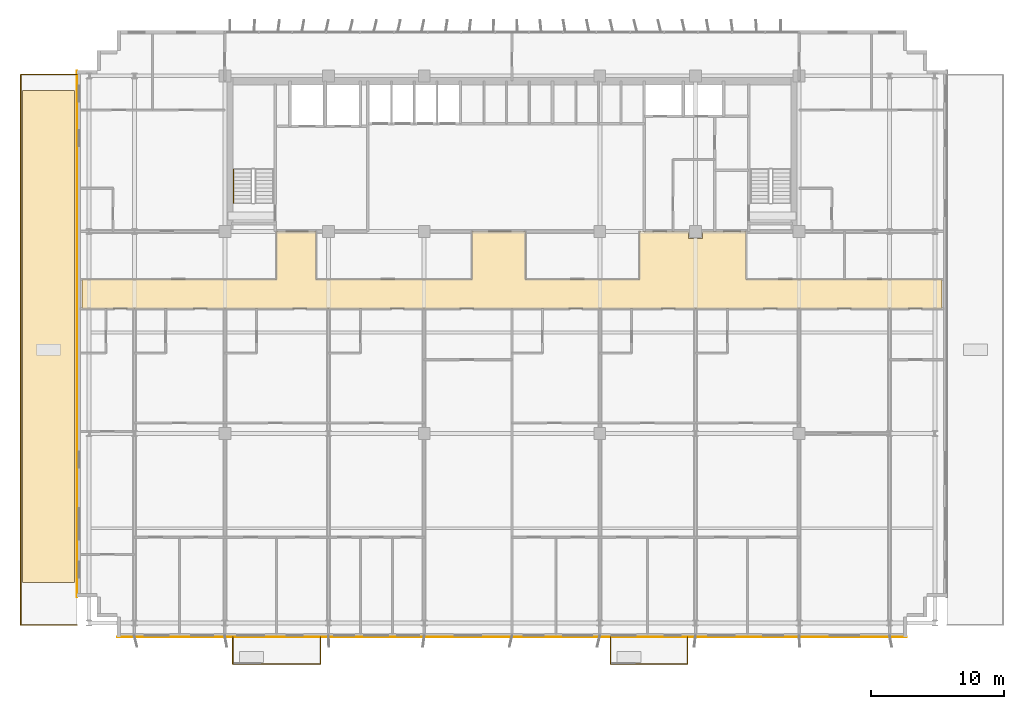
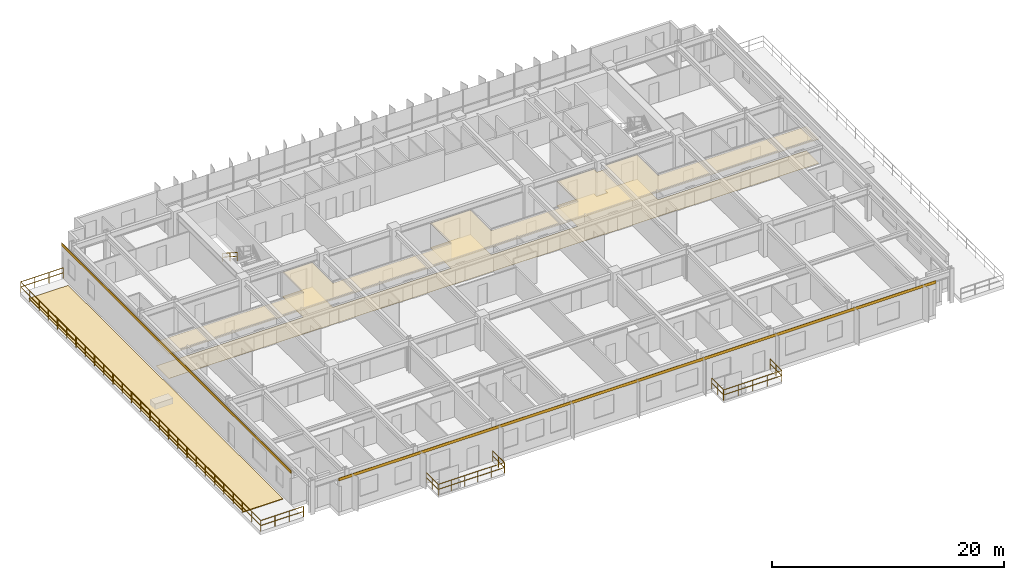
# One storey, part 24 of 26: 10 railings, 5 coverings.
"""IFC4 building model written with IfcOpenShell, lengths in metres."""

from ifc_helpers import new_model, si_unit, direction, frame, origin, origin_2d, place, context, subcontext, project, spatial, polyline, rectangle, outline, extrude, source, transform, mapped, material, layer, layer_set, type_object, element, save


model = new_model("IFC4")

# Units and contexts
model_context = context("Model", 3, precision=1e-05, world=origin(), true_north=direction((0.0, 1.0)))
body_context = subcontext(model_context, "Body", "Model", "MODEL_VIEW")
ifc_project = project(units=[si_unit("LENGTHUNIT", "METRE"), si_unit("AREAUNIT", "SQUARE_METRE"), si_unit("VOLUMEUNIT", "CUBIC_METRE"), si_unit("PLANEANGLEUNIT", "RADIAN"), si_unit("MASSUNIT", "GRAM", prefix="KILO")], contexts=[model_context])

# Site, building, storey
site_placement = place(None, origin())
site = spatial("IfcSite", under=ifc_project, at=site_placement, CompositionType="ELEMENT")
building_placement = place(site_placement, origin())
building = spatial("IfcBuilding", under=site, at=building_placement, Name="Trelvane Seafront Commons", CompositionType="ELEMENT")
storey_placement = place(building_placement, frame((0.0, 0.0, 23.5)))
storey = spatial("IfcBuildingStorey", under=building, at=storey_placement, Name="L05", CompositionType="ELEMENT", Elevation=23.5)

# Coverings
ifc_material_1 = material(Name="Acoustic Mineral Fibre Ceiling")
ifc_layer_1 = layer(ifc_material_1, 0.02490234375, Name="ARCH-COV-CEIL25")
ifc_layer_set_1 = layer_set([ifc_layer_1], Name="Acoustic Mineral Fibre Ceiling")
covering_type_1 = type_object("IfcCoveringType", Name="ARCH-COV-CEIL25", PredefinedType="CEILING", material=ifc_layer_set_1)
covering_1_placement = place(storey_placement, frame((0.0, 0.0, 2.550048828125)))
element("IfcCovering", 1, at=covering_1_placement, inside=storey, type_object=covering_type_1, Name="COV-CEIL-L05-05", PredefinedType="CEILING", context=body_context, shape_type="SweptSolid", body=[
    extrude(outline(polyline([(51.530029296875, 33.39990234375), (51.530029296875, 32.8701171875), (50.469970703125, 32.8701171875), (50.469970703125, 33.39990234375), (46.800048828125, 33.39990234375), (46.800048828125, 29.800048828125), (38.199951171875, 29.800048828125), (38.199951171875, 33.39990234375), (34.199951171875, 33.39990234375), (34.199951171875, 29.800048828125), (22.449951171875, 29.800048828125), (22.449951171875, 33.39990234375), (19.5, 33.39990234375), (19.5, 29.800048828125), (4.85009765625, 29.800048828125), (4.85009765625, 27.60009765625), (69.550048828125, 27.60009765625), (69.550048828125, 29.800048828125), (54.800048828125, 29.800048828125), (54.800048828125, 33.39990234375), (51.530029296875, 33.39990234375)])), origin(), (0.0, 0.0, 1.0), 0.02490234375),
])
ifc_material_2 = material(Name="Polished Terrazzo Finish")
ifc_layer_2 = layer(ifc_material_2, 0.02001953125, Name="ARCH-COV-FLOR20")
ifc_layer_set_2 = layer_set([ifc_layer_2], Name="Polished Terrazzo Finish")
covering_type_2 = type_object("IfcCoveringType", Name="ARCH-COV-FLOR20", PredefinedType="FLOORING", material=ifc_layer_set_2)
covering_2_placement = place(storey_placement, origin())
element("IfcCovering", 2, at=covering_2_placement, inside=storey, type_object=covering_type_2, Name="COV-FLOR-L05-05", PredefinedType="FLOORING", context=body_context, shape_type="SweptSolid", body=[
    extrude(outline(polyline([(51.530029296875, 33.39990234375), (51.530029296875, 32.8701171875), (50.469970703125, 32.8701171875), (50.469970703125, 33.39990234375), (46.800048828125, 33.39990234375), (46.800048828125, 29.800048828125), (38.199951171875, 29.800048828125), (38.199951171875, 33.39990234375), (34.199951171875, 33.39990234375), (34.199951171875, 29.800048828125), (22.449951171875, 29.800048828125), (22.449951171875, 33.39990234375), (19.5, 33.39990234375), (19.5, 29.800048828125), (4.85009765625, 29.800048828125), (4.85009765625, 27.60009765625), (69.550048828125, 27.60009765625), (69.550048828125, 29.800048828125), (54.800048828125, 29.800048828125), (54.800048828125, 33.39990234375), (51.530029296875, 33.39990234375)])), origin(), (0.0, 0.0, 1.0), 0.02001953125),
])
ifc_material_3 = material(Name="Polymer-Modified Bitumen Membrane")
ifc_layer_3 = layer(ifc_material_3, 0.080078125, Name="ARCH-COV-ROOF80")
ifc_layer_set_3 = layer_set([ifc_layer_3], Name="Polymer-Modified Bitumen Membrane")
covering_type_3 = type_object("IfcCoveringType", Name="ARCH-COV-ROOF80", PredefinedType="ROOFING", material=ifc_layer_set_3)
covering_3_placement = place(storey_placement, origin())
element("IfcCovering", 3, at=covering_3_placement, inside=storey, type_object=covering_type_3, Name="COV-ROOF-L05-04", PredefinedType="ROOFING", context=body_context, shape_type="SweptSolid", body=[
    extrude(outline(polyline([(0.39990234375, 7.0), (4.300048828125, 7.0), (4.300048828125, 44.0), (0.39990234375, 44.0), (0.39990234375, 7.0)])), origin(), (0.0, 0.0, 1.0), 0.080078125),
])

# Railings
ifc_material_4 = material(Name="Stainless steel balustrade", Category="steel")
railing_type_1 = type_object("IfcRailingType", Name="ARCH-RAIL-BAL1150", PredefinedType="BALUSTRADE", material=ifc_material_4)
railing_1_placement = place(storey_placement, frame((4.5, 3.800048828125, 0.0)))
element("IfcRailing", 4, at=railing_1_placement, inside=storey, type_object=railing_type_1, Name="RL-L05-TR0-01", PredefinedType="BALUSTRADE", context=body_context, shape_type="SweptSolid", body=[
    extrude(rectangle(XDim=0.048095703125, YDim=0.048095703125, at=origin_2d()), frame((0.0, 0.0, 1.1259765625), z_axis=(-1.0, 0.0, 0.0), x_axis=(0.0, -1.0, 0.0)), (0.0, 0.0, 1.0), 4.239990234375),
    extrude(rectangle(XDim=0.048095703125, YDim=0.048095703125, at=origin_2d()), frame((0.0, 0.0, 0.597900390625), z_axis=(-1.0, 0.0, 0.0), x_axis=(0.0, -1.0, 0.0)), (0.0, 0.0, 1.0), 4.239990234375),
    extrude(rectangle(XDim=0.0419921875, YDim=0.0419921875, at=origin_2d()), origin(), (0.0, 0.0, 1.0), 1.1259765625),
    extrude(rectangle(XDim=0.0419921875, YDim=0.0419921875, at=origin_2d()), frame((-1.413330078125, 0.0, 0.0)), (0.0, 0.0, 1.0), 1.1259765625),
    extrude(rectangle(XDim=0.0419921875, YDim=0.0419921875, at=origin_2d()), frame((-2.82666015625, 0.0, 0.0)), (0.0, 0.0, 1.0), 1.1259765625),
    extrude(rectangle(XDim=0.0419921875, YDim=0.0419921875, at=origin_2d()), frame((-4.239990234375, 0.0, 0.0)), (0.0, 0.0, 1.0), 1.1259765625),
])
railing_2_placement = place(storey_placement, frame((0.260009765625, 3.800048828125, 0.0)))
element("IfcRailing", 5, at=railing_2_placement, inside=storey, type_object=railing_type_1, Name="RL-L05-TR0-02", PredefinedType="BALUSTRADE", context=body_context, shape_type="SweptSolid", body=[
    extrude(rectangle(XDim=0.048095703125, YDim=0.048095703125, at=origin_2d()), frame((0.0, 0.0, 1.1259765625), z_axis=(0.0, 1.0, 0.0), x_axis=(-1.0, 0.0, 0.0)), (0.0, 0.0, 1.0), 41.39990234375),
    extrude(rectangle(XDim=0.048095703125, YDim=0.048095703125, at=origin_2d()), frame((0.0, 0.0, 0.597900390625), z_axis=(0.0, 1.0, 0.0), x_axis=(-1.0, 0.0, 0.0)), (0.0, 0.0, 1.0), 41.39990234375),
    extrude(rectangle(XDim=0.0419921875, YDim=0.0419921875, at=origin_2d()), origin(), (0.0, 0.0, 1.0), 1.1259765625),
    extrude(rectangle(XDim=0.0419921875, YDim=0.0419921875, at=origin_2d()), frame((0.0, 1.59228515625, 0.0)), (0.0, 0.0, 1.0), 1.1259765625),
    extrude(rectangle(XDim=0.0419921875, YDim=0.0419921875, at=origin_2d()), frame((0.0, 3.1845703125, 0.0)), (0.0, 0.0, 1.0), 1.1259765625),
    extrude(rectangle(XDim=0.0419921875, YDim=0.0419921875, at=origin_2d()), frame((0.0, 4.77685546875, 0.0)), (0.0, 0.0, 1.0), 1.1259765625),
    extrude(rectangle(XDim=0.0419921875, YDim=0.0419921875, at=origin_2d()), frame((0.0, 6.369140625, 0.0)), (0.0, 0.0, 1.0), 1.1259765625),
    extrude(rectangle(XDim=0.0419921875, YDim=0.0419921875, at=origin_2d()), frame((0.0, 7.96142578125, 0.0)), (0.0, 0.0, 1.0), 1.1259765625),
    extrude(rectangle(XDim=0.0419921875, YDim=0.0419921875, at=origin_2d()), frame((0.0, 9.5537109375, 0.0)), (0.0, 0.0, 1.0), 1.1259765625),
    extrude(rectangle(XDim=0.0419921875, YDim=0.0419921875, at=origin_2d()), frame((0.0, 11.146240234375, 0.0)), (0.0, 0.0, 1.0), 1.1259765625),
    extrude(rectangle(XDim=0.0419921875, YDim=0.0419921875, at=origin_2d()), frame((0.0, 12.738525390625, 0.0)), (0.0, 0.0, 1.0), 1.1259765625),
    extrude(rectangle(XDim=0.0419921875, YDim=0.0419921875, at=origin_2d()), frame((0.0, 14.330810546875, 0.0)), (0.0, 0.0, 1.0), 1.1259765625),
    extrude(rectangle(XDim=0.0419921875, YDim=0.0419921875, at=origin_2d()), frame((0.0, 15.923095703125, 0.0)), (0.0, 0.0, 1.0), 1.1259765625),
    extrude(rectangle(XDim=0.0419921875, YDim=0.0419921875, at=origin_2d()), frame((0.0, 17.515380859375, 0.0)), (0.0, 0.0, 1.0), 1.1259765625),
    extrude(rectangle(XDim=0.0419921875, YDim=0.0419921875, at=origin_2d()), frame((0.0, 19.107666015625, 0.0)), (0.0, 0.0, 1.0), 1.1259765625),
    extrude(rectangle(XDim=0.0419921875, YDim=0.0419921875, at=origin_2d()), frame((0.0, 20.699951171875, 0.0)), (0.0, 0.0, 1.0), 1.1259765625),
    extrude(rectangle(XDim=0.0419921875, YDim=0.0419921875, at=origin_2d()), frame((0.0, 22.292236328125, 0.0)), (0.0, 0.0, 1.0), 1.1259765625),
    extrude(rectangle(XDim=0.0419921875, YDim=0.0419921875, at=origin_2d()), frame((0.0, 23.884521484375, 0.0)), (0.0, 0.0, 1.0), 1.1259765625),
    extrude(rectangle(XDim=0.0419921875, YDim=0.0419921875, at=origin_2d()), frame((0.0, 25.476806640625, 0.0)), (0.0, 0.0, 1.0), 1.1259765625),
    extrude(rectangle(XDim=0.0419921875, YDim=0.0419921875, at=origin_2d()), frame((0.0, 27.069091796875, 0.0)), (0.0, 0.0, 1.0), 1.1259765625),
    extrude(rectangle(XDim=0.0419921875, YDim=0.0419921875, at=origin_2d()), frame((0.0, 28.661376953125, 0.0)), (0.0, 0.0, 1.0), 1.1259765625),
    extrude(rectangle(XDim=0.0419921875, YDim=0.0419921875, at=origin_2d()), frame((0.0, 30.253662109375, 0.0)), (0.0, 0.0, 1.0), 1.1259765625),
    extrude(rectangle(XDim=0.0419921875, YDim=0.0419921875, at=origin_2d()), frame((0.0, 31.84619140625, 0.0)), (0.0, 0.0, 1.0), 1.1259765625),
    extrude(rectangle(XDim=0.0419921875, YDim=0.0419921875, at=origin_2d()), frame((0.0, 33.4384765625, 0.0)), (0.0, 0.0, 1.0), 1.1259765625),
    extrude(rectangle(XDim=0.0419921875, YDim=0.0419921875, at=origin_2d()), frame((0.0, 35.03076171875, 0.0)), (0.0, 0.0, 1.0), 1.1259765625),
    extrude(rectangle(XDim=0.0419921875, YDim=0.0419921875, at=origin_2d()), frame((0.0, 36.623046875, 0.0)), (0.0, 0.0, 1.0), 1.1259765625),
    extrude(rectangle(XDim=0.0419921875, YDim=0.0419921875, at=origin_2d()), frame((0.0, 38.21533203125, 0.0)), (0.0, 0.0, 1.0), 1.1259765625),
    extrude(rectangle(XDim=0.0419921875, YDim=0.0419921875, at=origin_2d()), frame((0.0, 39.8076171875, 0.0)), (0.0, 0.0, 1.0), 1.1259765625),
    extrude(rectangle(XDim=0.0419921875, YDim=0.0419921875, at=origin_2d()), frame((0.0, 41.39990234375, 0.0)), (0.0, 0.0, 1.0), 1.1259765625),
])
railing_3_placement = place(storey_placement, frame((0.260009765625, 45.199951171875, 0.0)))
element("IfcRailing", 6, at=railing_3_placement, inside=storey, type_object=railing_type_1, Name="RL-L05-TR0-03", PredefinedType="BALUSTRADE", context=body_context, shape_type="SweptSolid", body=[
    extrude(rectangle(XDim=0.048095703125, YDim=0.048095703125, at=origin_2d()), frame((0.0, 0.0, 1.1259765625), z_axis=(1.0, 0.0, 0.0), x_axis=(0.0, 1.0, 0.0)), (0.0, 0.0, 1.0), 4.239990234375),
    extrude(rectangle(XDim=0.048095703125, YDim=0.048095703125, at=origin_2d()), frame((0.0, 0.0, 0.597900390625), z_axis=(1.0, 0.0, 0.0), x_axis=(0.0, 1.0, 0.0)), (0.0, 0.0, 1.0), 4.239990234375),
    extrude(rectangle(XDim=0.0419921875, YDim=0.0419921875, at=origin_2d()), origin(), (0.0, 0.0, 1.0), 1.1259765625),
    extrude(rectangle(XDim=0.0419921875, YDim=0.0419921875, at=origin_2d()), frame((1.413330078125, 0.0, 0.0)), (0.0, 0.0, 1.0), 1.1259765625),
    extrude(rectangle(XDim=0.0419921875, YDim=0.0419921875, at=origin_2d()), frame((2.82666015625, 0.0, 0.0)), (0.0, 0.0, 1.0), 1.1259765625),
    extrude(rectangle(XDim=0.0419921875, YDim=0.0419921875, at=origin_2d()), frame((4.239990234375, 0.0, 0.0)), (0.0, 0.0, 1.0), 1.1259765625),
])
railing_4_placement = place(storey_placement, frame((16.199951171875, 2.89990234375, 0.0)))
element("IfcRailing", 7, at=railing_4_placement, inside=storey, type_object=railing_type_1, Name="RL-L05-BAL0-01", PredefinedType="BALUSTRADE", context=body_context, shape_type="SweptSolid", body=[
    extrude(rectangle(XDim=0.048095703125, YDim=0.048095703125, at=origin_2d()), frame((0.0, 0.0, 1.1259765625), z_axis=(0.0, -1.0, 0.0), x_axis=(1.0, 0.0, 0.0)), (0.0, 0.0, 1.0), 2.039794921875),
    extrude(rectangle(XDim=0.048095703125, YDim=0.048095703125, at=origin_2d()), frame((0.0, 0.0, 0.597900390625), z_axis=(0.0, -1.0, 0.0), x_axis=(1.0, 0.0, 0.0)), (0.0, 0.0, 1.0), 2.039794921875),
    extrude(rectangle(XDim=0.0419921875, YDim=0.0419921875, at=origin_2d()), origin(), (0.0, 0.0, 1.0), 1.1259765625),
    extrude(rectangle(XDim=0.0419921875, YDim=0.0419921875, at=origin_2d()), frame((0.0, -1.02001953125, 0.0)), (0.0, 0.0, 1.0), 1.1259765625),
    extrude(rectangle(XDim=0.0419921875, YDim=0.0419921875, at=origin_2d()), frame((0.0, -2.039794921875, 0.0)), (0.0, 0.0, 1.0), 1.1259765625),
])
railing_5_placement = place(storey_placement, frame((16.199951171875, 0.860107421875, 0.0)))
element("IfcRailing", 8, at=railing_5_placement, inside=storey, type_object=railing_type_1, Name="RL-L05-BAL0-02", PredefinedType="BALUSTRADE", context=body_context, shape_type="SweptSolid", body=[
    extrude(rectangle(XDim=0.048095703125, YDim=0.048095703125, at=origin_2d()), frame((0.0, 0.0, 1.1259765625), z_axis=(1.0, 0.0, 0.0), x_axis=(0.0, 1.0, 0.0)), (0.0, 0.0, 1.0), 6.60009765625),
    extrude(rectangle(XDim=0.048095703125, YDim=0.048095703125, at=origin_2d()), frame((0.0, 0.0, 0.597900390625), z_axis=(1.0, 0.0, 0.0), x_axis=(0.0, 1.0, 0.0)), (0.0, 0.0, 1.0), 6.60009765625),
    extrude(rectangle(XDim=0.0419921875, YDim=0.0419921875, at=origin_2d()), origin(), (0.0, 0.0, 1.0), 1.1259765625),
    extrude(rectangle(XDim=0.0419921875, YDim=0.0419921875, at=origin_2d()), frame((1.320068359375, 0.0, 0.0)), (0.0, 0.0, 1.0), 1.1259765625),
    extrude(rectangle(XDim=0.0419921875, YDim=0.0419921875, at=origin_2d()), frame((2.64013671875, 0.0, 0.0)), (0.0, 0.0, 1.0), 1.1259765625),
    extrude(rectangle(XDim=0.0419921875, YDim=0.0419921875, at=origin_2d()), frame((3.9599609375, 0.0, 0.0)), (0.0, 0.0, 1.0), 1.1259765625),
    extrude(rectangle(XDim=0.0419921875, YDim=0.0419921875, at=origin_2d()), frame((5.280029296875, 0.0, 0.0)), (0.0, 0.0, 1.0), 1.1259765625),
    extrude(rectangle(XDim=0.0419921875, YDim=0.0419921875, at=origin_2d()), frame((6.60009765625, 0.0, 0.0)), (0.0, 0.0, 1.0), 1.1259765625),
])
railing_6_placement = place(storey_placement, frame((22.800048828125, 0.860107421875, 0.0)))
element("IfcRailing", 9, at=railing_6_placement, inside=storey, type_object=railing_type_1, Name="RL-L05-BAL0-03", PredefinedType="BALUSTRADE", context=body_context, shape_type="SweptSolid", body=[
    extrude(rectangle(XDim=0.048095703125, YDim=0.048095703125, at=origin_2d()), frame((0.0, 0.0, 1.1259765625), z_axis=(0.0, 1.0, 0.0), x_axis=(-1.0, 0.0, 0.0)), (0.0, 0.0, 1.0), 2.039794921875),
    extrude(rectangle(XDim=0.048095703125, YDim=0.048095703125, at=origin_2d()), frame((0.0, 0.0, 0.597900390625), z_axis=(0.0, 1.0, 0.0), x_axis=(-1.0, 0.0, 0.0)), (0.0, 0.0, 1.0), 2.039794921875),
    extrude(rectangle(XDim=0.0419921875, YDim=0.0419921875, at=origin_2d()), origin(), (0.0, 0.0, 1.0), 1.1259765625),
    extrude(rectangle(XDim=0.0419921875, YDim=0.0419921875, at=origin_2d()), frame((0.0, 1.02001953125, 0.0)), (0.0, 0.0, 1.0), 1.1259765625),
    extrude(rectangle(XDim=0.0419921875, YDim=0.0419921875, at=origin_2d()), frame((0.0, 2.039794921875, 0.0)), (0.0, 0.0, 1.0), 1.1259765625),
])
railing_7_placement = place(storey_placement, frame((44.60009765625, 2.89990234375, 0.0)))
element("IfcRailing", 10, at=railing_7_placement, inside=storey, type_object=railing_type_1, Name="RL-L05-BAL1-01", PredefinedType="BALUSTRADE", context=body_context, shape_type="SweptSolid", body=[
    extrude(rectangle(XDim=0.048095703125, YDim=0.048095703125, at=origin_2d()), frame((0.0, 0.0, 1.1259765625), z_axis=(0.0, -1.0, 0.0), x_axis=(1.0, 0.0, 0.0)), (0.0, 0.0, 1.0), 2.039794921875),
    extrude(rectangle(XDim=0.048095703125, YDim=0.048095703125, at=origin_2d()), frame((0.0, 0.0, 0.597900390625), z_axis=(0.0, -1.0, 0.0), x_axis=(1.0, 0.0, 0.0)), (0.0, 0.0, 1.0), 2.039794921875),
    extrude(rectangle(XDim=0.0419921875, YDim=0.0419921875, at=origin_2d()), origin(), (0.0, 0.0, 1.0), 1.1259765625),
    extrude(rectangle(XDim=0.0419921875, YDim=0.0419921875, at=origin_2d()), frame((0.0, -1.02001953125, 0.0)), (0.0, 0.0, 1.0), 1.1259765625),
    extrude(rectangle(XDim=0.0419921875, YDim=0.0419921875, at=origin_2d()), frame((0.0, -2.039794921875, 0.0)), (0.0, 0.0, 1.0), 1.1259765625),
])
railing_8_placement = place(storey_placement, frame((44.60009765625, 0.860107421875, 0.0)))
element("IfcRailing", 11, at=railing_8_placement, inside=storey, type_object=railing_type_1, Name="RL-L05-BAL1-02", PredefinedType="BALUSTRADE", context=body_context, shape_type="SweptSolid", body=[
    extrude(rectangle(XDim=0.048095703125, YDim=0.048095703125, at=origin_2d()), frame((0.0, 0.0, 1.1259765625), z_axis=(1.0, 0.0, 0.0), x_axis=(0.0, 1.0, 0.0)), (0.0, 0.0, 1.0), 5.7998046875),
    extrude(rectangle(XDim=0.048095703125, YDim=0.048095703125, at=origin_2d()), frame((0.0, 0.0, 0.597900390625), z_axis=(1.0, 0.0, 0.0), x_axis=(0.0, 1.0, 0.0)), (0.0, 0.0, 1.0), 5.7998046875),
    extrude(rectangle(XDim=0.0419921875, YDim=0.0419921875, at=origin_2d()), origin(), (0.0, 0.0, 1.0), 1.1259765625),
    extrude(rectangle(XDim=0.0419921875, YDim=0.0419921875, at=origin_2d()), frame((1.449951171875, 0.0, 0.0)), (0.0, 0.0, 1.0), 1.1259765625),
    extrude(rectangle(XDim=0.0419921875, YDim=0.0419921875, at=origin_2d()), frame((2.89990234375, 0.0, 0.0)), (0.0, 0.0, 1.0), 1.1259765625),
    extrude(rectangle(XDim=0.0419921875, YDim=0.0419921875, at=origin_2d()), frame((4.349853515625, 0.0, 0.0)), (0.0, 0.0, 1.0), 1.1259765625),
    extrude(rectangle(XDim=0.0419921875, YDim=0.0419921875, at=origin_2d()), frame((5.7998046875, 0.0, 0.0)), (0.0, 0.0, 1.0), 1.1259765625),
])
railing_9_placement = place(storey_placement, frame((50.39990234375, 0.860107421875, 0.0)))
element("IfcRailing", 12, at=railing_9_placement, inside=storey, type_object=railing_type_1, Name="RL-L05-BAL1-03", PredefinedType="BALUSTRADE", context=body_context, shape_type="SweptSolid", body=[
    extrude(rectangle(XDim=0.048095703125, YDim=0.048095703125, at=origin_2d()), frame((0.0, 0.0, 1.1259765625), z_axis=(0.0, 1.0, 0.0), x_axis=(-1.0, 0.0, 0.0)), (0.0, 0.0, 1.0), 2.039794921875),
    extrude(rectangle(XDim=0.048095703125, YDim=0.048095703125, at=origin_2d()), frame((0.0, 0.0, 0.597900390625), z_axis=(0.0, 1.0, 0.0), x_axis=(-1.0, 0.0, 0.0)), (0.0, 0.0, 1.0), 2.039794921875),
    extrude(rectangle(XDim=0.0419921875, YDim=0.0419921875, at=origin_2d()), origin(), (0.0, 0.0, 1.0), 1.1259765625),
    extrude(rectangle(XDim=0.0419921875, YDim=0.0419921875, at=origin_2d()), frame((0.0, 1.02001953125, 0.0)), (0.0, 0.0, 1.0), 1.1259765625),
    extrude(rectangle(XDim=0.0419921875, YDim=0.0419921875, at=origin_2d()), frame((0.0, 2.039794921875, 0.0)), (0.0, 0.0, 1.0), 1.1259765625),
])
railing_type_2 = type_object("IfcRailingType", Name="ARCH-SRL-HAND", PredefinedType="HANDRAIL", material=ifc_material_4)
railing_10_placement = place(storey_placement, frame((16.25, 38.070068359375, 1.97998046875)))
element("IfcRailing", 13, at=railing_10_placement, inside=storey, type_object=railing_type_2, Name="L05 ST-1 stair handrail 2", PredefinedType="HANDRAIL", context=body_context, shape_type="SweptSolid", body=[
    extrude(rectangle(XDim=0.048095703125, YDim=0.048095703125, at=origin_2d()), frame((0.0, 0.0, 0.8759765625), z_axis=(0.0, -0.841162588446, 0.540782303519), x_axis=(1.0, 0.0, 0.0)), (0.0, 0.0, 1.0), 2.995849609375),
    extrude(rectangle(XDim=0.048095703125, YDim=0.048095703125, at=origin_2d()), frame((0.0, 0.0, 0.468017578125), z_axis=(0.0, -0.841162588446, 0.540782303519), x_axis=(1.0, 0.0, 0.0)), (0.0, 0.0, 1.0), 2.995849609375),
    extrude(rectangle(XDim=0.0419921875, YDim=0.0419921875, at=origin_2d()), origin(), (0.0, 0.0, 1.0), 0.8759765625),
    extrude(rectangle(XDim=0.0419921875, YDim=0.0419921875, at=origin_2d()), frame((0.0, -1.260009765625, 0.81005859375)), (0.0, 0.0, 1.0), 0.8759765625),
    extrude(rectangle(XDim=0.0419921875, YDim=0.0419921875, at=origin_2d()), frame((0.0, -2.52001953125, 1.6201171875)), (0.0, 0.0, 1.0), 0.8759765625),
])

# Coverings
ifc_material_5 = material(Name="Anodised pale-silver aluminium", Category="aluminium")
ifc_layer_4 = layer(ifc_material_5, 0.034912109375, Name="ARCH-COV-CLAD35")
ifc_layer_set_4 = layer_set([ifc_layer_4], Name="Anodised pale-silver aluminium")
covering_type_4 = type_object("IfcCoveringType", Name="ARCH-COV-CLAD35", PredefinedType="CLADDING", material=ifc_layer_set_4)
shared_shape_1 = source(origin(), body_context, "Body", "SweptSolid", [
    extrude(rectangle(XDim=39.60009765625, YDim=0.034912109375, at=origin_2d()), origin(), (0.0, 0.0, 1.0), 0.300048828125),
])
covering_4_placement = place(storey_placement, frame((4.5, 25.699951171875, 3.2998046875), z_axis=(0.0, 0.0, 1.0), x_axis=(0.0, 1.0, 0.0)))
element("IfcCovering", 14, at=covering_4_placement, inside=storey, type_object=covering_type_4, Name="CLD-L05-00039", PredefinedType="CLADDING", context=body_context, shape_type="MappedRepresentation", body=[
    mapped(shared_shape_1, transform((0.0, 0.0, 0.0), x_axis=(1.0, 0.0, 0.0), y_axis=(0.0, 1.0, 0.0), z_axis=(0.0, 0.0, 1.0), scale=1.0)),
])
shared_shape_2 = source(origin(), body_context, "Body", "SweptSolid", [
    extrude(rectangle(XDim=59.39990234375, YDim=0.034912109375, at=origin_2d()), origin(), (0.0, 0.0, 1.0), 0.300048828125),
])
covering_5_placement = place(storey_placement, frame((37.199951171875, 2.89990234375, 3.2998046875), z_axis=(0.0, 0.0, 1.0), x_axis=(-1.0, 0.0, 0.0)))
element("IfcCovering", 15, at=covering_5_placement, inside=storey, type_object=covering_type_4, Name="CLD-L05-00041", PredefinedType="CLADDING", context=body_context, shape_type="MappedRepresentation", body=[
    mapped(shared_shape_2, transform((0.0, 0.0, 0.0), x_axis=(1.0, 0.0, 0.0), y_axis=(0.0, 1.0, 0.0), z_axis=(0.0, 0.0, 1.0), scale=1.0)),
])

save(model, "model.ifc")
